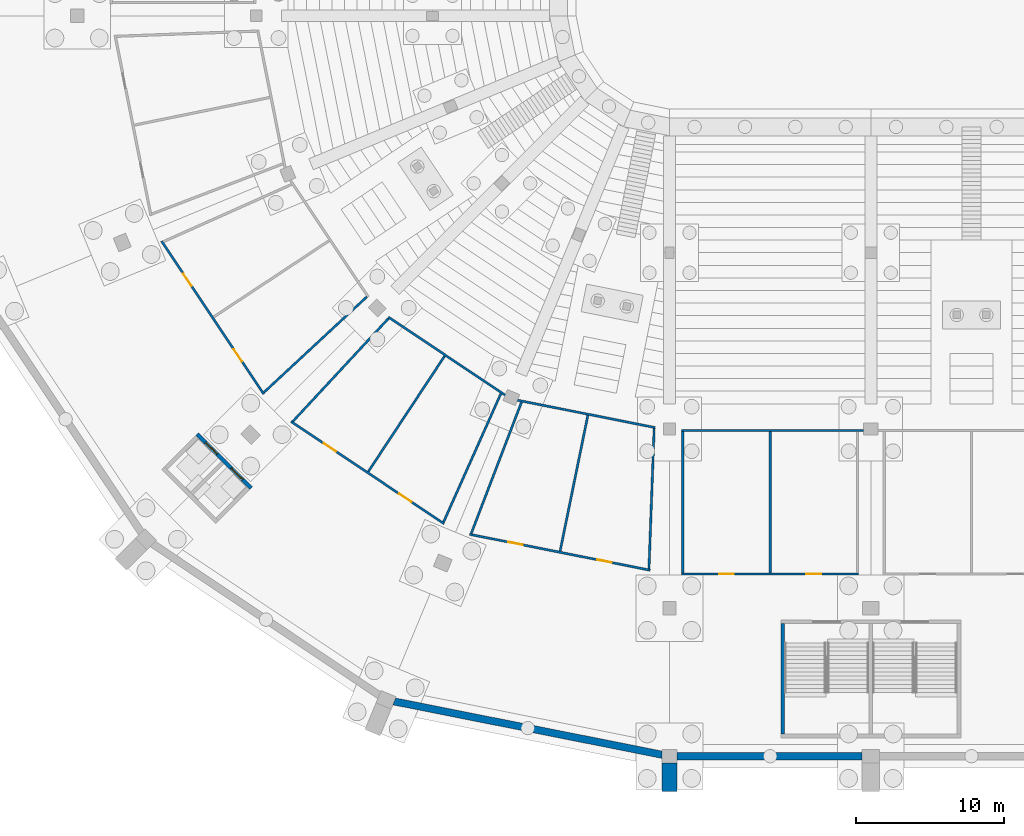
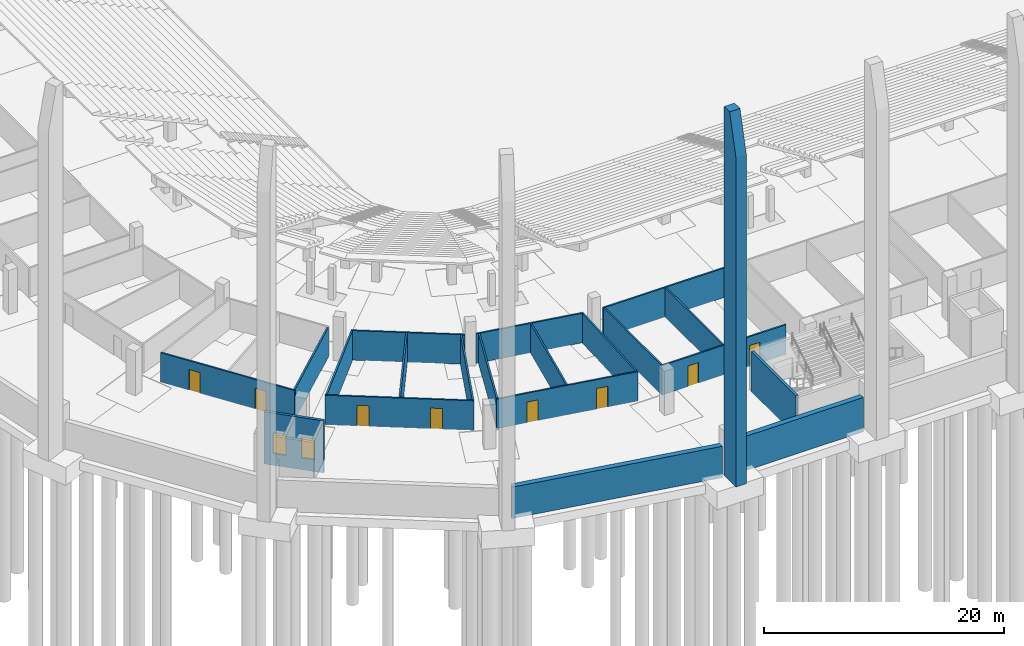
# One storey, part 21 of 115: 21 walls, 10 doors, 10 openings.
"""IFC4 building model written with IfcOpenShell, lengths in metres."""

from ifc_helpers import new_model, si_unit, direction, frame, frame_2d, origin, place, context, subcontext, project, spatial, polyline, rectangle, outline, extrude, material, layer, layer_set, type_object, element, fill, save


model = new_model("IFC4")

# Units and contexts
model_context = context("Model", 3, precision=1e-05, world=origin(), true_north=direction((0.0, 1.0)))
body_context = subcontext(model_context, "Body", "Model", "MODEL_VIEW")
ifc_project = project(units=[si_unit("LENGTHUNIT", "METRE"), si_unit("AREAUNIT", "SQUARE_METRE"), si_unit("VOLUMEUNIT", "CUBIC_METRE"), si_unit("PLANEANGLEUNIT", "RADIAN"), si_unit("MASSUNIT", "GRAM", prefix="KILO")], contexts=[model_context])

# Site, building, storey
site_placement = place(None, origin())
site = spatial("IfcSite", under=ifc_project, at=site_placement, CompositionType="ELEMENT")
building_placement = place(site_placement, origin())
building = spatial("IfcBuilding", under=site, at=building_placement, Name="Ogive Plaza Stadium", CompositionType="ELEMENT")
storey_placement = place(building_placement, frame((0.0, 0.0, -4.5)))
storey = spatial("IfcBuildingStorey", under=building, at=storey_placement, Name="B1", CompositionType="ELEMENT", Elevation=-4.5)

# Wall
ifc_material_1 = material(Name="Masonry blockwork", Category="masonry")
ifc_layer_1 = layer(ifc_material_1, 0.14990234375)
ifc_layer_set_1 = layer_set([ifc_layer_1], Name="Blockwork wall 150")
wall_type_1 = type_object("IfcWallType", Name="Blockwork wall 150", PredefinedType="SOLIDWALL", material=ifc_layer_set_1)
wall_1_placement = place(storey_placement, frame((-20.89990234375, -80.5, 0.0), z_axis=(0.0, 0.0, 1.0), x_axis=(-1.0, 0.0, 0.0)))
element("IfcWall", 1, at=wall_1_placement, inside=storey, type_object=wall_type_1, Name="Wall B1 B16", PredefinedType="SOLIDWALL", context=body_context, shape_type="SweptSolid", body=[
    extrude(rectangle(XDim=12.275146484375, YDim=0.14990234375, at=frame_2d((6.1376953125, 0.0))), origin(), (0.0, 0.0, 1.0), 3.0),
])

# Wall, openings, doors
wall_2_placement = place(storey_placement, frame((-21.22509765625, -90.199951171875, 0.0), z_axis=(0.0, 0.0, 1.0), x_axis=(-1.0, 0.0, 0.0)))
wall_2 = element("IfcWall", 2, at=wall_2_placement, inside=storey, type_object=wall_type_1, Name="Wall B1 B16", PredefinedType="SOLIDWALL", context=body_context, shape_type="SweptSolid", body=[
    extrude(rectangle(XDim=11.949951171875, YDim=0.14990234375, at=frame_2d((5.97509765625, 0.0))), origin(), (0.0, 0.0, 1.0), 3.0),
])
opening_1_placement = place(wall_2_placement, frame((2.52490234375, 0.0, 0.0)))
opening_1 = element("IfcOpeningElement", 3, at=opening_1_placement, cuts=wall_2, Name="Opening D0327", PredefinedType="OPENING", context=body_context, shape_type="SweptSolid", body=[
    extrude(rectangle(XDim=1.0, YDim=2.10009765625, at=frame_2d((0.5, 1.050048828125))), frame((0.0, 0.074951171875, 0.0), z_axis=(0.0, -1.0, 0.0), x_axis=(1.0, 0.0, 0.0)), (0.0, 0.0, 1.0), 0.14990234375),
])
opening_2_placement = place(wall_2_placement, frame((8.425048828125, 0.0, 0.0)))
opening_2 = element("IfcOpeningElement", 4, at=opening_2_placement, cuts=wall_2, Name="Opening D0328", PredefinedType="OPENING", context=body_context, shape_type="SweptSolid", body=[
    extrude(rectangle(XDim=1.0, YDim=2.10009765625, at=frame_2d((0.5, 1.050048828125))), frame((0.0, 0.074951171875, 0.0), z_axis=(0.0, -1.0, 0.0), x_axis=(1.0, 0.0, 0.0)), (0.0, 0.0, 1.0), 0.14990234375),
])
ifc_material_2 = material(Name="Steel ASTM A572 Grade 50", Category="steel")
door_type_1 = type_object("IfcDoorType", Name="Fire door FD60 1000 x 2100", OperationType="SINGLE_SWING_LEFT", PredefinedType="DOOR", material=ifc_material_2)
door_1_placement = place(opening_2_placement, origin())
door_1 = element("IfcDoor", 5, at=door_1_placement, inside=storey, type_object=door_type_1, Name="Commissary Kitchen B16 door", OperationType="SINGLE_SWING_LEFT", OverallHeight=2.10009765625, OverallWidth=1.0, PredefinedType="DOOR", context=body_context, shape_type="SweptSolid", body=[
    extrude(rectangle(XDim=1.0, YDim=2.10009765625, at=frame_2d((0.5, 1.050048828125))), frame((0.0, 0.02490234375, 0.0), z_axis=(0.0, -1.0, 0.0), x_axis=(1.0, 0.0, 0.0)), (0.0, 0.0, 1.0), 0.050048828125),
])
fill(opening_2, door_1)
ifc_material_3 = material(Name="Steel ASTM A572 Grade 50", Category="steel")
door_type_2 = type_object("IfcDoorType", Name="Fire door FD90 1000 x 2100", OperationType="SINGLE_SWING_LEFT", PredefinedType="DOOR", material=ifc_material_3)
door_2_placement = place(opening_1_placement, origin())
door_2 = element("IfcDoor", 6, at=door_2_placement, inside=storey, type_object=door_type_2, Name="Air Handling Plant Room B16 door", OperationType="SINGLE_SWING_RIGHT", OverallHeight=2.10009765625, OverallWidth=1.0, PredefinedType="DOOR", context=body_context, shape_type="SweptSolid", body=[
    extrude(rectangle(XDim=1.0, YDim=2.10009765625, at=frame_2d((0.5, 1.050048828125))), frame((0.0, 0.02490234375, 0.0), z_axis=(0.0, -1.0, 0.0), x_axis=(1.0, 0.0, 0.0)), (0.0, 0.0, 1.0), 0.050048828125),
])
fill(opening_1, door_2)

# Walls
for number, where, z_axis, x_axis, name in (
    (7, (-27.199951171875, -80.574951171875, 0.0), (0.0, 0.0, 1.0), (0.0, -1.0, 0.0), "Wall B1 B16"),
    (8, (-33.10009765625, -80.574951171875, 0.0), (0.0, 0.0, 1.0), (0.0, -1.0, 0.0), "Wall B1 B16"),
):
    element("IfcWall", number, at=place(storey_placement, frame(where, z_axis=z_axis, x_axis=x_axis)), inside=storey, type_object=wall_type_1, Name=name, PredefinedType="SOLIDWALL", context=body_context, shape_type="SweptSolid", body=[
        extrude(rectangle(XDim=9.550048828125, YDim=0.14990234375, at=frame_2d((4.77490234375, 0.0))), origin(), (0.0, 0.0, 1.0), 3.0),
    ])
wall_3_placement = place(storey_placement, frame((-44.26513671875, -78.458251953125, 0.0), z_axis=(0.0, 0.0, 1.0), x_axis=(0.980788126016, -0.195076015612, 0.0)))
element("IfcWall", 9, at=wall_3_placement, inside=storey, type_object=wall_type_1, Name="Wall B1 B17", PredefinedType="SOLIDWALL", context=body_context, shape_type="SweptSolid", body=[
    extrude(rectangle(XDim=9.480224609375, YDim=0.14990234375, at=frame_2d((4.740234375, 0.0))), origin(), (0.0, 0.0, 1.0), 3.0),
])

# Wall, openings, doors
wall_4_placement = place(storey_placement, frame((-47.49853515625, -87.514892578125, 0.0), z_axis=(0.0, 0.0, 1.0), x_axis=(0.980785525093, -0.195089091876, 0.0)))
wall_4 = element("IfcWall", 10, at=wall_4_placement, inside=storey, type_object=wall_type_1, Name="Wall B1 B17", PredefinedType="SOLIDWALL", context=body_context, shape_type="SweptSolid", body=[
    extrude(rectangle(XDim=12.435546875, YDim=0.14990234375, at=frame_2d((6.2177734375, 0.0))), origin(), (0.0, 0.0, 1.0), 3.0),
])
opening_3_placement = place(wall_4_placement, frame((2.65185546875, 0.0, 0.0)))
opening_3 = element("IfcOpeningElement", 11, at=opening_3_placement, cuts=wall_4, Name="Opening D0329", PredefinedType="OPENING", context=body_context, shape_type="SweptSolid", body=[
    extrude(rectangle(XDim=1.0, YDim=2.10009765625, at=frame_2d((0.5, 1.050048828125))), frame((0.0, 0.074951171875, 0.0), z_axis=(0.0, -1.0, 0.0), x_axis=(1.0, 0.0, 0.0)), (0.0, 0.0, 1.0), 0.14990234375),
])
opening_4_placement = place(wall_4_placement, frame((8.78369140625, 0.0, 0.0)))
opening_4 = element("IfcOpeningElement", 12, at=opening_4_placement, cuts=wall_4, Name="Opening D0330", PredefinedType="OPENING", context=body_context, shape_type="SweptSolid", body=[
    extrude(rectangle(XDim=1.0, YDim=2.10009765625, at=frame_2d((0.5, 1.050048828125))), frame((0.0, 0.074951171875, 0.0), z_axis=(0.0, -1.0, 0.0), x_axis=(1.0, 0.0, 0.0)), (0.0, 0.0, 1.0), 0.14990234375),
])
door_3_placement = place(opening_3_placement, origin())
door_3 = element("IfcDoor", 13, at=door_3_placement, inside=storey, type_object=door_type_1, Name="Commissary Kitchen B17 door", OperationType="SINGLE_SWING_RIGHT", OverallHeight=2.10009765625, OverallWidth=1.0, PredefinedType="DOOR", context=body_context, shape_type="SweptSolid", body=[
    extrude(rectangle(XDim=1.0, YDim=2.10009765625, at=frame_2d((0.5, 1.050048828125))), frame((0.0, 0.02490234375, 0.0), z_axis=(0.0, -1.0, 0.0), x_axis=(1.0, 0.0, 0.0)), (0.0, 0.0, 1.0), 0.050048828125),
])
fill(opening_3, door_3)
door_4_placement = place(opening_4_placement, origin())
door_4 = element("IfcDoor", 14, at=door_4_placement, inside=storey, type_object=door_type_1, Name="Refuse Store B17 door", OperationType="SINGLE_SWING_LEFT", OverallHeight=2.10009765625, OverallWidth=1.0, PredefinedType="DOOR", context=body_context, shape_type="SweptSolid", body=[
    extrude(rectangle(XDim=1.0, YDim=2.10009765625, at=frame_2d((0.5, 1.050048828125))), frame((0.0, 0.02490234375, 0.0), z_axis=(0.0, -1.0, 0.0), x_axis=(1.0, 0.0, 0.0)), (0.0, 0.0, 1.0), 0.050048828125),
])
fill(opening_4, door_4)

# Walls
wall_5_placement = place(storey_placement, frame((-43.989501953125, -78.587890625, 0.0), z_axis=(0.0, 0.0, 1.0), x_axis=(-0.357582432029, -0.93388157938, 0.0)))
element("IfcWall", 15, at=wall_5_placement, inside=storey, type_object=wall_type_1, Name="Wall B1 B17", PredefinedType="SOLIDWALL", context=body_context, shape_type="SweptSolid", body=[
    extrude(rectangle(XDim=9.50244140625, YDim=0.14990234375, at=frame_2d((4.751220703125, 0.0))), origin(), (0.0, 0.0, 1.0), 3.0),
])
wall_6_placement = place(storey_placement, frame((-39.510986328125, -79.478759765625, 0.0), z_axis=(0.0, 0.0, 1.0), x_axis=(-0.200124442675, -0.979770487126, 0.0)))
element("IfcWall", 16, at=wall_6_placement, inside=storey, type_object=wall_type_1, Name="Wall B1 B17", PredefinedType="SOLIDWALL", context=body_context, shape_type="SweptSolid", body=[
    extrude(rectangle(XDim=9.36669921875, YDim=0.14990234375, at=frame_2d((4.683349609375, 0.0))), origin(), (0.0, 0.0, 1.0), 3.0),
])
wall_7_placement = place(storey_placement, frame((-35.032470703125, -80.36962890625, 0.0), z_axis=(0.0, 0.0, 1.0), x_axis=(-0.037006901301, -0.999315010022, 0.0)))
element("IfcWall", 17, at=wall_7_placement, inside=storey, type_object=wall_type_1, Name="Wall B1 B17", PredefinedType="SOLIDWALL", context=body_context, shape_type="SweptSolid", body=[
    extrude(rectangle(XDim=9.48681640625, YDim=0.14990234375, at=frame_2d((4.743408203125, 0.0))), origin(), (0.0, 0.0, 1.0), 3.0),
])
wall_8_placement = place(storey_placement, frame((-45.0966796875, -78.11376953125, 0.0), z_axis=(0.0, 0.0, 1.0), x_axis=(-0.831463470141, 0.555579425305, 0.0)))
element("IfcWall", 18, at=wall_8_placement, inside=storey, type_object=wall_type_1, Name="Wall B1 B18", PredefinedType="SOLIDWALL", context=body_context, shape_type="SweptSolid", body=[
    extrude(rectangle(XDim=9.48046875, YDim=0.14990234375, at=frame_2d((4.740234375, 0.0))), origin(), (0.0, 0.0, 1.0), 3.0),
])

# Wall, openings, doors
wall_9_placement = place(storey_placement, frame((-49.21435546875, -86.80419921875, 0.0), z_axis=(0.0, 0.0, 1.0), x_axis=(-0.831475975747, 0.555560709334, 0.0)))
wall_9 = element("IfcWall", 19, at=wall_9_placement, inside=storey, type_object=wall_type_1, Name="Wall B1 B18", PredefinedType="SOLIDWALL", context=body_context, shape_type="SweptSolid", body=[
    extrude(rectangle(XDim=12.435546875, YDim=0.14990234375, at=frame_2d((6.2177734375, 0.0))), origin(), (0.0, 0.0, 1.0), 3.0),
])
opening_5_placement = place(wall_9_placement, frame((2.65185546875, 0.0, 0.0)))
opening_5 = element("IfcOpeningElement", 20, at=opening_5_placement, cuts=wall_9, Name="Opening D0331", PredefinedType="OPENING", context=body_context, shape_type="SweptSolid", body=[
    extrude(rectangle(XDim=1.0, YDim=2.10009765625, at=frame_2d((0.5, 1.050048828125))), frame((0.0, 0.074951171875, 0.0), z_axis=(0.0, -1.0, 0.0), x_axis=(1.0, 0.0, 0.0)), (0.0, 0.0, 1.0), 0.14990234375),
])
opening_6_placement = place(wall_9_placement, frame((8.78369140625, 0.0, 0.0)))
opening_6 = element("IfcOpeningElement", 21, at=opening_6_placement, cuts=wall_9, Name="Opening D0332", PredefinedType="OPENING", context=body_context, shape_type="SweptSolid", body=[
    extrude(rectangle(XDim=1.0, YDim=2.10009765625, at=frame_2d((0.5, 1.050048828125))), frame((0.0, 0.074951171875, 0.0), z_axis=(0.0, -1.0, 0.0), x_axis=(1.0, 0.0, 0.0)), (0.0, 0.0, 1.0), 0.14990234375),
])
ifc_material_4 = material(Name="Steel ASTM A572 Grade 50", Category="steel")
door_type_3 = type_object("IfcDoorType", Name="Door 1000 x 2100", OperationType="SINGLE_SWING_LEFT", PredefinedType="DOOR", material=ifc_material_4)
door_5_placement = place(opening_6_placement, origin())
door_5 = element("IfcDoor", 22, at=door_5_placement, inside=storey, type_object=door_type_3, Name="Security Control Room B18 door", OperationType="SINGLE_SWING_RIGHT", OverallHeight=2.10009765625, OverallWidth=1.0, PredefinedType="DOOR", context=body_context, shape_type="SweptSolid", body=[
    extrude(rectangle(XDim=1.0, YDim=2.10009765625, at=frame_2d((0.5, 1.050048828125))), frame((0.0, 0.02490234375, 0.0), z_axis=(0.0, -1.0, 0.0), x_axis=(1.0, 0.0, 0.0)), (0.0, 0.0, 1.0), 0.050048828125),
])
fill(opening_6, door_5)
door_6_placement = place(opening_5_placement, origin())
door_6 = element("IfcDoor", 23, at=door_6_placement, inside=storey, type_object=door_type_1, Name="Refuse Store B18 door", OperationType="SINGLE_SWING_LEFT", OverallHeight=2.10009765625, OverallWidth=1.0, PredefinedType="DOOR", context=body_context, shape_type="SweptSolid", body=[
    extrude(rectangle(XDim=1.0, YDim=2.10009765625, at=frame_2d((0.5, 1.050048828125))), frame((0.0, 0.02490234375, 0.0), z_axis=(0.0, -1.0, 0.0), x_axis=(1.0, 0.0, 0.0)), (0.0, 0.0, 1.0), 0.050048828125),
])
fill(opening_5, door_6)

# Walls
wall_10_placement = place(storey_placement, frame((-45.38330078125, -78.010498046875, 0.0), z_axis=(0.0, 0.0, 1.0), x_axis=(-0.407503936666, -0.913203450279, 0.0)))
element("IfcWall", 24, at=wall_10_placement, inside=storey, type_object=wall_type_1, Name="Wall B1 B18", PredefinedType="SOLIDWALL", context=body_context, shape_type="SweptSolid", body=[
    extrude(rectangle(XDim=9.50244140625, YDim=0.14990234375, at=frame_2d((4.751220703125, 0.0))), origin(), (0.0, 0.0, 1.0), 3.0),
])
wall_11_placement = place(storey_placement, frame((-49.18017578125, -75.4736328125, 0.0), z_axis=(0.0, 0.0, 1.0), x_axis=(-0.551278973714, -0.834320977287, 0.0)))
element("IfcWall", 25, at=wall_11_placement, inside=storey, type_object=wall_type_1, Name="Wall B1 B18", PredefinedType="SOLIDWALL", context=body_context, shape_type="SweptSolid", body=[
    extrude(rectangle(XDim=9.366455078125, YDim=0.14990234375, at=frame_2d((4.68310546875, 0.0))), origin(), (0.0, 0.0, 1.0), 3.0),
])
wall_12_placement = place(storey_placement, frame((-52.976806640625, -72.936767578125, 0.0), z_axis=(0.0, 0.0, 1.0), x_axis=(-0.680436292727, -0.732807240371, 0.0)))
element("IfcWall", 26, at=wall_12_placement, inside=storey, type_object=wall_type_1, Name="Wall B1 B18", PredefinedType="SOLIDWALL", context=body_context, shape_type="SweptSolid", body=[
    extrude(rectangle(XDim=9.486572265625, YDim=0.14990234375, at=frame_2d((4.7431640625, 0.0))), origin(), (0.0, 0.0, 1.0), 3.0),
])

# Wall, openings, doors
wall_13_placement = place(storey_placement, frame((-68.30419921875, -67.71435546875, 0.0), z_axis=(0.0, 0.0, 1.0), x_axis=(0.555560709334, -0.831475975747, 0.0)))
wall_13 = element("IfcWall", 27, at=wall_13_placement, inside=storey, type_object=wall_type_1, Name="Wall B1 B19", PredefinedType="SOLIDWALL", context=body_context, shape_type="SweptSolid", body=[
    extrude(rectangle(XDim=12.435546875, YDim=0.14990234375, at=frame_2d((6.2177734375, 0.0))), origin(), (0.0, 0.0, 1.0), 3.0),
])
opening_7_placement = place(wall_13_placement, frame((2.65185546875, 0.0, 0.0)))
opening_7 = element("IfcOpeningElement", 28, at=opening_7_placement, cuts=wall_13, Name="Opening D0333", PredefinedType="OPENING", context=body_context, shape_type="SweptSolid", body=[
    extrude(rectangle(XDim=1.0, YDim=2.10009765625, at=frame_2d((0.5, 1.050048828125))), frame((0.0, 0.074951171875, 0.0), z_axis=(0.0, -1.0, 0.0), x_axis=(1.0, 0.0, 0.0)), (0.0, 0.0, 1.0), 0.14990234375),
])
opening_8_placement = place(wall_13_placement, frame((8.78369140625, 0.0, 0.0)))
opening_8 = element("IfcOpeningElement", 29, at=opening_8_placement, cuts=wall_13, Name="Opening D0334", PredefinedType="OPENING", context=body_context, shape_type="SweptSolid", body=[
    extrude(rectangle(XDim=1.0, YDim=2.10009765625, at=frame_2d((0.5, 1.050048828125))), frame((0.0, 0.074951171875, 0.0), z_axis=(0.0, -1.0, 0.0), x_axis=(1.0, 0.0, 0.0)), (0.0, 0.0, 1.0), 0.14990234375),
])
door_7_placement = place(opening_7_placement, origin())
door_7 = element("IfcDoor", 30, at=door_7_placement, inside=storey, type_object=door_type_3, Name="Security Control Room B19 door", OperationType="SINGLE_SWING_RIGHT", OverallHeight=2.10009765625, OverallWidth=1.0, PredefinedType="DOOR", context=body_context, shape_type="SweptSolid", body=[
    extrude(rectangle(XDim=1.0, YDim=2.10009765625, at=frame_2d((0.5, 1.050048828125))), frame((0.0, 0.02490234375, 0.0), z_axis=(0.0, -1.0, 0.0), x_axis=(1.0, 0.0, 0.0)), (0.0, 0.0, 1.0), 0.050048828125),
])
fill(opening_7, door_7)
door_8_placement = place(opening_8_placement, origin())
door_8 = element("IfcDoor", 31, at=door_8_placement, inside=storey, type_object=door_type_1, Name="Kitchen Dry Store B19 door", OperationType="SINGLE_SWING_LEFT", OverallHeight=2.10009765625, OverallWidth=1.0, PredefinedType="DOOR", context=body_context, shape_type="SweptSolid", body=[
    extrude(rectangle(XDim=1.0, YDim=2.10009765625, at=frame_2d((0.5, 1.050048828125))), frame((0.0, 0.02490234375, 0.0), z_axis=(0.0, -1.0, 0.0), x_axis=(1.0, 0.0, 0.0)), (0.0, 0.0, 1.0), 0.050048828125),
])
fill(opening_8, door_8)

# Walls
wall_14_placement = place(storey_placement, frame((-54.436767578125, -71.476806640625, 0.0), z_axis=(0.0, 0.0, 1.0), x_axis=(-0.732807240371, -0.680436292727, 0.0)))
element("IfcWall", 32, at=wall_14_placement, inside=storey, type_object=wall_type_1, Name="Wall B1 B19", PredefinedType="SOLIDWALL", context=body_context, shape_type="SweptSolid", body=[
    extrude(rectangle(XDim=9.486572265625, YDim=0.14990234375, at=frame_2d((4.7431640625, 0.0))), origin(), (0.0, 0.0, 1.0), 3.0),
])
ifc_material_5 = material(Name="Concrete C45/55 precast", Category="concrete")
ifc_layer_2 = layer(ifc_material_5, 0.949951171875)
ifc_material_6 = material(Name="Cast stone (reconstituted limestone)", Category="masonry")
ifc_layer_3 = layer(ifc_material_6, 0.050048828125)
ifc_layer_set_2 = layer_set([ifc_layer_2, ifc_layer_3], Name="Concrete C45/55 precast, cast stone facing")
wall_type_2 = type_object("IfcWallType", Name="Buttress pier 1000", PredefinedType="SOLIDWALL", material=ifc_layer_set_2)
wall_15_placement = place(storey_placement, frame((-34.0, -102.949951171875, 0.0), z_axis=(0.0, 0.0, 1.0), x_axis=(0.0, -1.0, 0.0)))
element("IfcWall", 33, at=wall_15_placement, inside=storey, type_object=wall_type_2, Name="BUTTRESS PIER R17", PredefinedType="SOLIDWALL", context=body_context, shape_type="SweptSolid", body=[
    extrude(outline(polyline([(0.0, 0.0), (1.949951171875, 0.0), (1.949951171875, 33.5), (0.89990234375, 37.5), (0.0, 37.5), (0.0, 0.0)])), frame((0.0, 0.5, 0.0), z_axis=(0.0, -1.0, 0.0), x_axis=(1.0, 0.0, 0.0)), (0.0, 0.0, 1.0), 1.0),
])
ifc_material_7 = material(Name="Concrete C40/50", Category="concrete")
ifc_layer_4 = layer(ifc_material_7, 0.25)
ifc_layer_set_3 = layer_set([ifc_layer_4], Name="Concrete C40/50")
wall_type_3 = type_object("IfcWallType", Name="Core wall 250", PredefinedType="SHEAR", material=ifc_layer_set_3)
wall_16_placement = place(storey_placement, frame((-26.35009765625, -93.550048828125, 0.0), z_axis=(0.0, 0.0, 1.0), x_axis=(0.0, -1.0, 0.0)))
element("IfcWall", 34, at=wall_16_placement, inside=storey, type_object=wall_type_3, Name="Stair core R16 side wall", PredefinedType="SHEAR", context=body_context, shape_type="SweptSolid", body=[
    extrude(rectangle(XDim=7.4599609375, YDim=0.25, at=frame_2d((3.72998046875, 0.0))), origin(), (0.0, 0.0, 1.0), 4.090087890625),
])

# Wall, openings, doors
ifc_material_8 = material(Name="Concrete C40/50", Category="concrete")
ifc_layer_5 = layer(ifc_material_8, 0.25)
ifc_layer_set_4 = layer_set([ifc_layer_5], Name="Concrete C40/50")
wall_type_4 = type_object("IfcWallType", Name="Core wall 250 A", PredefinedType="SHEAR", material=ifc_layer_set_4)
wall_17_placement = place(storey_placement, frame((-65.890625, -80.7490234375, -1.199951171875), z_axis=(0.0, 0.0, 1.0), x_axis=(0.707106781187, -0.707106781187, 0.0)))
wall_17 = element("IfcWall", 35, at=wall_17_placement, inside=storey, type_object=wall_type_4, Name="Lift core LP19 landing wall", PredefinedType="SHEAR", context=body_context, shape_type="SweptSolid", body=[
    extrude(rectangle(XDim=5.14990234375, YDim=0.25, at=frame_2d((2.574951171875, 0.0))), origin(), (0.0, 0.0, 1.0), 5.2900390625),
])
opening_9_placement = place(wall_17_placement, frame((0.800048828125, 0.0, 1.199951171875)))
opening_9 = element("IfcOpeningElement", 36, at=opening_9_placement, cuts=wall_17, Name="Opening LD042", PredefinedType="OPENING", context=body_context, shape_type="SweptSolid", body=[
    extrude(rectangle(XDim=1.10009765625, YDim=2.10009765625, at=frame_2d((0.550048828125, 1.050048828125))), frame((0.0, 0.125, 0.0), z_axis=(0.0, -1.0, 0.0), x_axis=(1.0, 0.0, 0.0)), (0.0, 0.0, 1.0), 0.25),
])
opening_10_placement = place(wall_17_placement, frame((3.25, 0.0, 1.199951171875)))
opening_10 = element("IfcOpeningElement", 37, at=opening_10_placement, cuts=wall_17, Name="Opening LD043", PredefinedType="OPENING", context=body_context, shape_type="SweptSolid", body=[
    extrude(rectangle(XDim=1.10009765625, YDim=2.10009765625, at=frame_2d((0.550048828125, 1.050048828125))), frame((0.0, 0.125, 0.0), z_axis=(0.0, -1.0, 0.0), x_axis=(1.0, 0.0, 0.0)), (0.0, 0.0, 1.0), 0.25),
])
ifc_material_9 = material(Name="Steel ASTM A572 Grade 50", Category="steel")
door_type_4 = type_object("IfcDoorType", Name="Landing door 1100 x 2100", OperationType="SLIDING_TO_LEFT", PredefinedType="DOOR", material=ifc_material_9)
door_9_placement = place(opening_9_placement, origin())
door_9 = element("IfcDoor", 38, at=door_9_placement, inside=storey, type_object=door_type_4, Name="Lift landing door LP19 B1", OperationType="SLIDING_TO_LEFT", OverallHeight=2.10009765625, OverallWidth=1.10009765625, PredefinedType="DOOR", context=body_context, shape_type="SweptSolid", body=[
    extrude(rectangle(XDim=1.10009765625, YDim=2.10009765625, at=frame_2d((0.550048828125, 1.050048828125))), frame((0.0, 0.02490234375, 0.0), z_axis=(0.0, -1.0, 0.0), x_axis=(1.0, 0.0, 0.0)), (0.0, 0.0, 1.0), 0.050048828125),
])
fill(opening_9, door_9)
door_10_placement = place(opening_10_placement, origin())
door_10 = element("IfcDoor", 39, at=door_10_placement, inside=storey, type_object=door_type_4, Name="Lift landing door LP19 B1", OperationType="SLIDING_TO_LEFT", OverallHeight=2.10009765625, OverallWidth=1.10009765625, PredefinedType="DOOR", context=body_context, shape_type="SweptSolid", body=[
    extrude(rectangle(XDim=1.10009765625, YDim=2.10009765625, at=frame_2d((0.550048828125, 1.050048828125))), frame((0.0, 0.02490234375, 0.0), z_axis=(0.0, -1.0, 0.0), x_axis=(1.0, 0.0, 0.0)), (0.0, 0.0, 1.0), 0.050048828125),
])
fill(opening_10, door_10)

# Walls
ifc_material_10 = material(Name="Concrete C40/50", Category="concrete")
ifc_layer_6 = layer(ifc_material_10, 0.5)
ifc_layer_set_5 = layer_set([ifc_layer_6], Name="Concrete C40/50")
wall_type_5 = type_object("IfcWallType", Name="RC retaining wall 500", PredefinedType="SOLIDWALL", material=ifc_layer_set_5)
wall_18_placement = place(storey_placement, frame((-21.0, -102.5, -0.39990234375), z_axis=(0.0, 0.0, 1.0), x_axis=(-1.0, 0.0, 0.0)))
element("IfcWall", 40, at=wall_18_placement, inside=storey, type_object=wall_type_5, Name="Retaining wall B16", PredefinedType="SOLIDWALL", context=body_context, shape_type="SweptSolid", body=[
    extrude(rectangle(XDim=12.5, YDim=0.5, at=frame_2d((6.25, 0.0))), origin(), (0.0, 0.0, 1.0), 3.489990234375),
])
ifc_material_11 = material(Name="Concrete C40/50", Category="concrete")
ifc_layer_7 = layer(ifc_material_11, 0.5)
ifc_layer_set_6 = layer_set([ifc_layer_7], Name="Concrete C40/50")
wall_type_6 = type_object("IfcWallType", Name="RC retaining wall 500 A", PredefinedType="SOLIDWALL", material=ifc_layer_set_6)
wall_19_placement = place(storey_placement, frame((0.0, 0.0, -0.39990234375)))
element("IfcWall", 41, at=wall_19_placement, inside=storey, type_object=wall_type_6, Name="Retaining wall B17", PredefinedType="SOLIDWALL", context=body_context, shape_type="SweptSolid", body=[
    extrude(outline(polyline([(-52.488525390625, -98.572509765625), (-52.679931640625, -99.034423828125), (-34.5, -102.650634765625), (-34.5, -102.150634765625), (-52.488525390625, -98.572509765625)])), origin(), (0.0, 0.0, 1.0), 3.18994140625),
])

save(model, "model.ifc")
